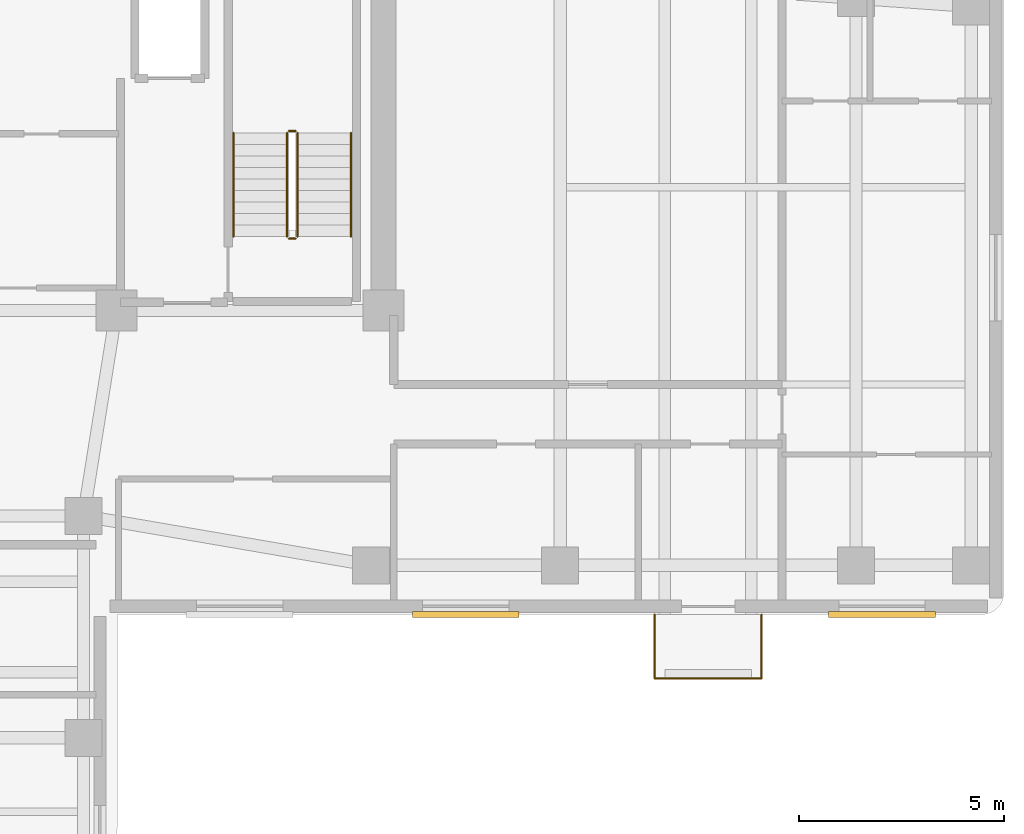
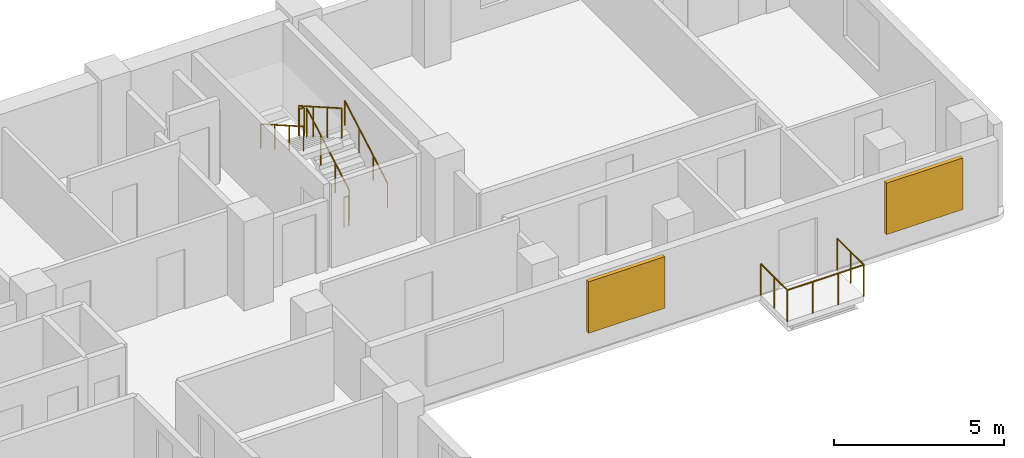
# One storey, part 7 of 7: 9 railings, 2 shading devices.
"""IFC4 building model written with IfcOpenShell, lengths in metres."""

from ifc_helpers import new_model, si_unit, direction, frame, origin, origin_2d, place, context, subcontext, project, spatial, rectangle, circle, extrude, material, layer, layer_set, type_object, element, save


model = new_model("IFC4")

# Units and contexts
model_context = context("Model", 3, precision=1e-05, world=origin(), true_north=direction((0.0, 1.0)))
body_context = subcontext(model_context, "Body", "Model", "MODEL_VIEW")
ifc_project = project(units=[si_unit("LENGTHUNIT", "METRE"), si_unit("AREAUNIT", "SQUARE_METRE"), si_unit("VOLUMEUNIT", "CUBIC_METRE"), si_unit("PLANEANGLEUNIT", "RADIAN"), si_unit("MASSUNIT", "GRAM", prefix="KILO")], contexts=[model_context])

# Site, building, storey
site_placement = place(None, origin())
site = spatial("IfcSite", under=ifc_project, at=site_placement, CompositionType="ELEMENT")
building_placement = place(site_placement, origin())
building = spatial("IfcBuilding", under=site, at=building_placement, Name="Kuzgunbayir Cultural Tower", CompositionType="ELEMENT")
storey_placement = place(building_placement, frame((0.0, 0.0, 188.800048828125)))
storey = spatial("IfcBuildingStorey", under=building, at=storey_placement, Name="L55", CompositionType="ELEMENT", Elevation=188.800048828125)

# Railings
ifc_material_1 = material(Name="Laminated Glass and Stainless Steel", Category="steel")
ifc_layer_1 = layer(ifc_material_1, 0.080078125)
ifc_layer_set_1 = layer_set([ifc_layer_1], Name="Laminated Glass and Stainless Steel")
railing_type_1 = type_object("IfcRailingType", Name="RLG-BAL-115", PredefinedType="BALUSTRADE", material=ifc_layer_set_1)
railing_1_placement = place(storey_placement, frame((33.5, 26.39990234375, 0.0)))
element("IfcRailing", 1, at=railing_1_placement, inside=storey, type_object=railing_type_1, Name="L55 Balcony Guard BAL-L55-WB2 Segment 1", PredefinedType="BALUSTRADE", context=body_context, shape_type="SweptSolid", body=[
    extrude(circle(Radius=0.02392578125, at=origin_2d()), frame((0.0, 0.0, 1.1259765625), z_axis=(0.0, -1.0, 0.0), x_axis=(1.0, 0.0, 0.0)), (0.0, 0.0, 1.0), 1.559814453125),
    extrude(circle(Radius=0.02099609375, at=origin_2d()), origin(), (0.0, 0.0, 1.0), 1.101806640625),
    extrude(circle(Radius=0.02099609375, at=origin_2d()), frame((0.0, -0.77978515625, 0.0)), (0.0, 0.0, 1.0), 1.101806640625),
    extrude(circle(Radius=0.02099609375, at=origin_2d()), frame((0.0, -1.559814453125, 0.0)), (0.0, 0.0, 1.0), 1.101806640625),
])
railing_2_placement = place(storey_placement, frame((33.5, 24.840087890625, 0.0)))
element("IfcRailing", 2, at=railing_2_placement, inside=storey, type_object=railing_type_1, Name="L55 Balcony Guard BAL-L55-WB2 Segment 2", PredefinedType="BALUSTRADE", context=body_context, shape_type="SweptSolid", body=[
    extrude(circle(Radius=0.02392578125, at=origin_2d()), frame((0.0, 0.0, 1.1259765625), z_axis=(1.0, 0.0, 0.0), x_axis=(0.0, 1.0, 0.0)), (0.0, 0.0, 1.0), 2.60009765625),
    extrude(circle(Radius=0.02099609375, at=origin_2d()), origin(), (0.0, 0.0, 1.0), 1.101806640625),
    extrude(circle(Radius=0.02099609375, at=origin_2d()), frame((0.86669921875, 0.0, 0.0)), (0.0, 0.0, 1.0), 1.101806640625),
    extrude(circle(Radius=0.02099609375, at=origin_2d()), frame((1.7333984375, 0.0, 0.0)), (0.0, 0.0, 1.0), 1.101806640625),
    extrude(circle(Radius=0.02099609375, at=origin_2d()), frame((2.60009765625, 0.0, 0.0)), (0.0, 0.0, 1.0), 1.101806640625),
])
railing_3_placement = place(storey_placement, frame((36.10009765625, 24.840087890625, 0.0)))
element("IfcRailing", 3, at=railing_3_placement, inside=storey, type_object=railing_type_1, Name="L55 Balcony Guard BAL-L55-WB2 Segment 3", PredefinedType="BALUSTRADE", context=body_context, shape_type="SweptSolid", body=[
    extrude(circle(Radius=0.02392578125, at=origin_2d()), frame((0.0, 0.0, 1.1259765625), z_axis=(0.0, 1.0, 0.0), x_axis=(-1.0, 0.0, 0.0)), (0.0, 0.0, 1.0), 1.559814453125),
    extrude(circle(Radius=0.02099609375, at=origin_2d()), origin(), (0.0, 0.0, 1.0), 1.101806640625),
    extrude(circle(Radius=0.02099609375, at=origin_2d()), frame((0.0, 0.77978515625, 0.0)), (0.0, 0.0, 1.0), 1.101806640625),
    extrude(circle(Radius=0.02099609375, at=origin_2d()), frame((0.0, 1.559814453125, 0.0)), (0.0, 0.0, 1.0), 1.101806640625),
])
ifc_material_2 = material(Name="Brushed Stainless Steel", Category="steel")
ifc_layer_2 = layer(ifc_material_2, 0.050048828125)
ifc_layer_set_2 = layer_set([ifc_layer_2], Name="Brushed Stainless Steel")
railing_type_2 = type_object("IfcRailingType", Name="RLG-STAIR-HANDRAIL", PredefinedType="HANDRAIL", material=ifc_layer_set_2)
railing_4_placement = place(storey_placement, frame((26.110107421875, 35.60009765625, 0.159912109375)))
element("IfcRailing", 4, at=railing_4_placement, inside=storey, type_object=railing_type_2, Name="L55 ST-2 stair handrail 1", PredefinedType="HANDRAIL", context=body_context, shape_type="SweptSolid", body=[
    extrude(circle(Radius=0.02392578125, at=origin_2d()), frame((0.0, 0.0, 0.8759765625), z_axis=(0.0, 0.868253494771, 0.496120820787), x_axis=(-1.0, 0.0, 0.0)), (0.0, 0.0, 1.0), 2.90234375),
    extrude(circle(Radius=0.02099609375, at=origin_2d()), origin(), (0.0, 0.0, 1.0), 0.851806640625),
    extrude(circle(Radius=0.02099609375, at=origin_2d()), frame((0.0, 0.840087890625, 0.47998046875)), (0.0, 0.0, 1.0), 0.851806640625),
    extrude(circle(Radius=0.02099609375, at=origin_2d()), frame((0.0, 1.679931640625, 0.9599609375)), (0.0, 0.0, 1.0), 0.851806640625),
    extrude(circle(Radius=0.02099609375, at=origin_2d()), frame((0.0, 2.52001953125, 1.43994140625)), (0.0, 0.0, 1.0), 0.851806640625),
])
railing_5_placement = place(storey_placement, frame((23.25, 38.1201171875, 1.760009765625)))
element("IfcRailing", 5, at=railing_5_placement, inside=storey, type_object=railing_type_2, Name="L55 ST-2 stair handrail 2", PredefinedType="HANDRAIL", context=body_context, shape_type="SweptSolid", body=[
    extrude(circle(Radius=0.02392578125, at=origin_2d()), frame((0.0, 0.0, 0.8759765625), z_axis=(0.0, -0.868253494771, 0.496120820787), x_axis=(1.0, 0.0, 0.0)), (0.0, 0.0, 1.0), 2.90234375),
    extrude(circle(Radius=0.02099609375, at=origin_2d()), origin(), (0.0, 0.0, 1.0), 0.851806640625),
    extrude(circle(Radius=0.02099609375, at=origin_2d()), frame((0.0, -0.840087890625, 0.47998046875)), (0.0, 0.0, 1.0), 0.851806640625),
    extrude(circle(Radius=0.02099609375, at=origin_2d()), frame((0.0, -1.679931640625, 0.9599609375)), (0.0, 0.0, 1.0), 0.851806640625),
    extrude(circle(Radius=0.02099609375, at=origin_2d()), frame((0.0, -2.52001953125, 1.43994140625)), (0.0, 0.0, 1.0), 0.851806640625),
])
ifc_material_3 = material(Name="Painted Steel Balustrade", Category="steel")
ifc_layer_3 = layer(ifc_material_3, 0.06005859375)
ifc_layer_set_3 = layer_set([ifc_layer_3], Name="Painted Steel Balustrade")
railing_type_3 = type_object("IfcRailingType", Name="RLG-WELL-GUARD", PredefinedType="GUARDRAIL", material=ifc_layer_set_3)
railing_6_placement = place(storey_placement, frame((24.81005859375, 35.60009765625, 0.159912109375)))
element("IfcRailing", 6, at=railing_6_placement, inside=storey, type_object=railing_type_3, Name="L55 ST-2 stair guard 1", PredefinedType="GUARDRAIL", context=body_context, shape_type="SweptSolid", body=[
    extrude(circle(Radius=0.02392578125, at=origin_2d()), frame((0.0, 0.0, 1.076171875), z_axis=(0.0, 0.868253494771, 0.496120820787), x_axis=(-1.0, 0.0, 0.0)), (0.0, 0.0, 1.0), 2.90234375),
    extrude(circle(Radius=0.02099609375, at=origin_2d()), origin(), (0.0, 0.0, 1.0), 1.052001953125),
    extrude(circle(Radius=0.02099609375, at=origin_2d()), frame((0.0, 0.840087890625, 0.47998046875)), (0.0, 0.0, 1.0), 1.052001953125),
    extrude(circle(Radius=0.02099609375, at=origin_2d()), frame((0.0, 1.679931640625, 0.9599609375)), (0.0, 0.0, 1.0), 1.052001953125),
    extrude(circle(Radius=0.02099609375, at=origin_2d()), frame((0.0, 2.52001953125, 1.43994140625)), (0.0, 0.0, 1.0), 1.052001953125),
])
railing_7_placement = place(storey_placement, frame((24.760009765625, 38.169921875, 1.599853515625)))
element("IfcRailing", 7, at=railing_7_placement, inside=storey, type_object=railing_type_3, Name="L55 ST-2 stair guard 2", PredefinedType="GUARDRAIL", context=body_context, shape_type="SweptSolid", body=[
    extrude(circle(Radius=0.02392578125, at=origin_2d()), frame((0.0, 0.0, 1.076171875), z_axis=(-1.0, 0.0, 0.0), x_axis=(0.0, -1.0, 0.0)), (0.0, 0.0, 1.0), 0.159912109375),
    extrude(circle(Radius=0.02099609375, at=origin_2d()), origin(), (0.0, 0.0, 1.0), 1.052001953125),
    extrude(circle(Radius=0.02099609375, at=origin_2d()), frame((-0.159912109375, 0.0, 0.0)), (0.0, 0.0, 1.0), 1.052001953125),
])
railing_8_placement = place(storey_placement, frame((24.550048828125, 38.1201171875, 1.760009765625)))
element("IfcRailing", 8, at=railing_8_placement, inside=storey, type_object=railing_type_3, Name="L55 ST-2 stair guard 3", PredefinedType="GUARDRAIL", context=body_context, shape_type="SweptSolid", body=[
    extrude(circle(Radius=0.02392578125, at=origin_2d()), frame((0.0, 0.0, 1.076171875), z_axis=(0.0, -0.868253494771, 0.496120820787), x_axis=(1.0, 0.0, 0.0)), (0.0, 0.0, 1.0), 2.90234375),
    extrude(circle(Radius=0.02099609375, at=origin_2d()), origin(), (0.0, 0.0, 1.0), 1.052001953125),
    extrude(circle(Radius=0.02099609375, at=origin_2d()), frame((0.0, -0.840087890625, 0.47998046875)), (0.0, 0.0, 1.0), 1.052001953125),
    extrude(circle(Radius=0.02099609375, at=origin_2d()), frame((0.0, -1.679931640625, 0.9599609375)), (0.0, 0.0, 1.0), 1.052001953125),
    extrude(circle(Radius=0.02099609375, at=origin_2d()), frame((0.0, -2.52001953125, 1.43994140625)), (0.0, 0.0, 1.0), 1.052001953125),
])
railing_9_placement = place(storey_placement, frame((24.760009765625, 35.550048828125, 0.0)))
element("IfcRailing", 9, at=railing_9_placement, inside=storey, type_object=railing_type_3, Name="L55 ST-2 stair guard 4", PredefinedType="GUARDRAIL", context=body_context, shape_type="SweptSolid", body=[
    extrude(circle(Radius=0.02392578125, at=origin_2d()), frame((0.0, 0.0, 1.076171875), z_axis=(-1.0, 0.0, 0.0), x_axis=(0.0, -1.0, 0.0)), (0.0, 0.0, 1.0), 0.159912109375),
    extrude(circle(Radius=0.02099609375, at=origin_2d()), origin(), (0.0, 0.0, 1.0), 1.052001953125),
    extrude(circle(Radius=0.02099609375, at=origin_2d()), frame((-0.159912109375, 0.0, 0.0)), (0.0, 0.0, 1.0), 1.052001953125),
])

# Shading devices
ifc_material_4 = material(Name="Perforated Bronze-Anodised Aluminium", Category="aluminium")
shading_device_type = type_object("IfcShadingDeviceType", Name="SHD-SOLAR-BRONZE", PredefinedType="JALOUSIE", material=ifc_material_4)
for number, where, z_axis, x_axis, name in (
    (10, (39.030029296875, 26.39990234375, 0.73486328125), (0.0, 0.0, 1.0), (1.0, 0.0, 0.0), "L55 Solar Screen WBS6"),
    (11, (28.89990234375, 26.39990234375, 0.73486328125), (0.0, 0.0, 1.0), (1.0, 0.0, 0.0), "L55 Solar Screen WBS15"),
):
    element("IfcShadingDevice", number, at=place(storey_placement, frame(where, z_axis=z_axis, x_axis=x_axis)), inside=storey, type_object=shading_device_type, Name=name, PredefinedType="JALOUSIE", context=body_context, shape_type="SweptSolid", body=[
        extrude(rectangle(XDim=2.60009765625, YDim=0.139892578125, at=origin_2d()), origin(), (0.0, 0.0, 1.0), 1.85009765625),
    ])

save(model, "model.ifc")
